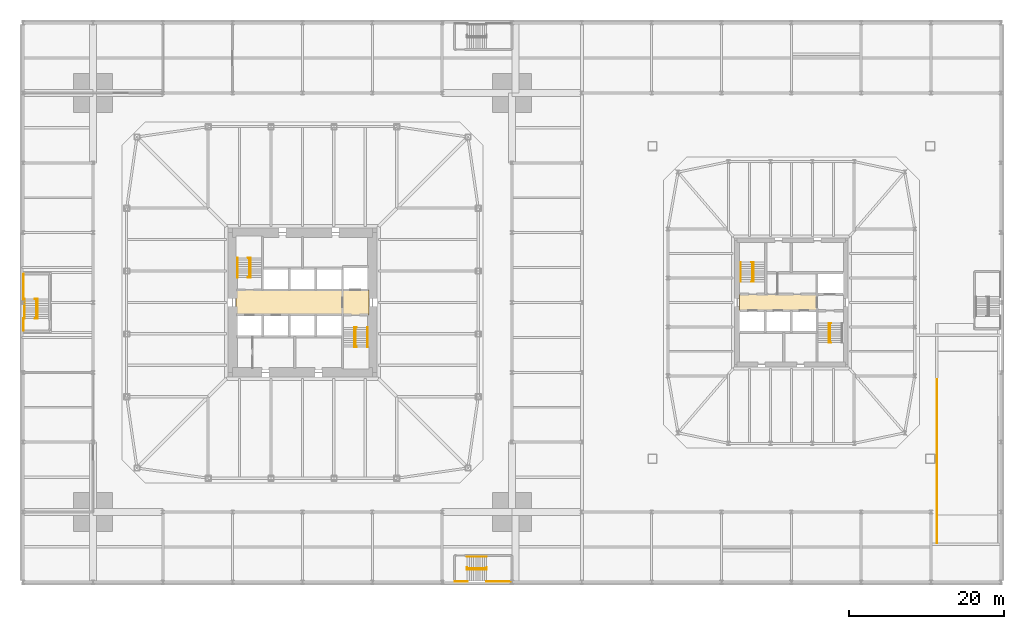
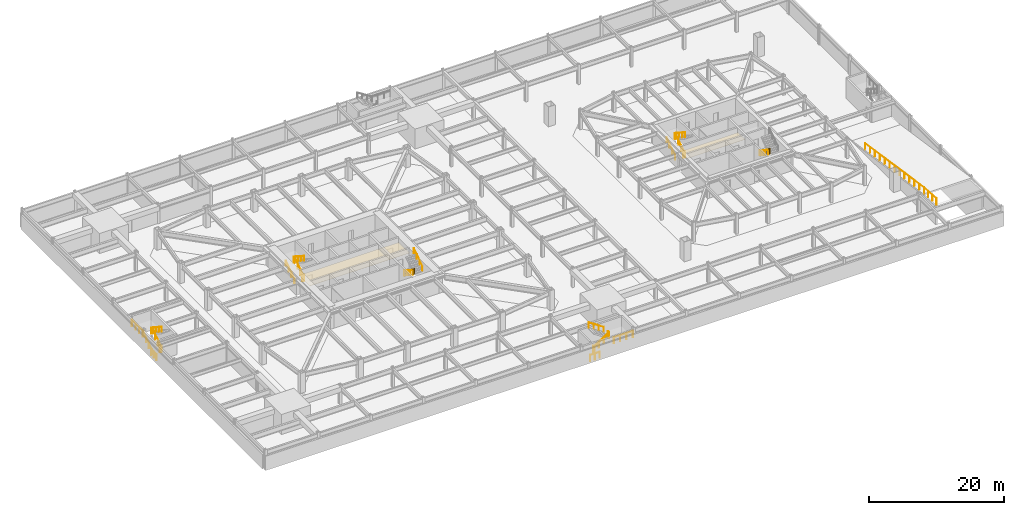
# One storey, part 16 of 17: 22 railings, 3 coverings.
"""IFC4 building model written with IfcOpenShell, lengths in metres."""

from ifc_helpers import new_model, si_unit, direction, frame, origin, origin_2d, place, context, subcontext, project, spatial, polyline, circle, outline, extrude, material, layer, layer_set, constituent, constituent_set, type_object, element, save


model = new_model("IFC4")

# Units and contexts
model_context = context("Model", 3, precision=1e-05, world=origin(), true_north=direction((0.0, 1.0)))
body_context = subcontext(model_context, "Body", "Model", "MODEL_VIEW")
ifc_project = project(units=[si_unit("LENGTHUNIT", "METRE"), si_unit("AREAUNIT", "SQUARE_METRE"), si_unit("VOLUMEUNIT", "CUBIC_METRE"), si_unit("PLANEANGLEUNIT", "RADIAN"), si_unit("MASSUNIT", "GRAM", prefix="KILO")], contexts=[model_context])

# Site, building, storey
site_placement = place(None, origin())
site = spatial("IfcSite", under=ifc_project, at=site_placement, CompositionType="ELEMENT")
building_placement = place(site_placement, origin())
building = spatial("IfcBuilding", under=site, at=building_placement, Name="Iwan Alto Co-Living Towers", CompositionType="ELEMENT")
storey_placement = place(building_placement, frame((0.0, 0.0, -3.60009765625)))
storey = spatial("IfcBuildingStorey", under=building, at=storey_placement, Name="B1", CompositionType="ELEMENT", Elevation=-3.60009765625)

# Coverings
ifc_material_1 = material(Name="Mineral fibre acoustic tiles on steel grid", Category="steel")
ifc_layer = layer(ifc_material_1, 0.02001953125)
ifc_layer_set = layer_set([ifc_layer], Name="ACOUSTIC TILE CEILING 20")
covering_type = type_object("IfcCoveringType", Name="ACOUSTIC TILE CEILING 20", PredefinedType="CEILING", material=ifc_layer_set)
covering_1_placement = place(storey_placement, frame((0.0, 0.0, 2.60009765625)))
element("IfcCovering", 1, at=covering_1_placement, inside=storey, type_object=covering_type, Name="Ceiling Lift lobby B1", PredefinedType="CEILING", context=body_context, shape_type="SweptSolid", body=[
    extrude(outline(polyline([(-8.550048828125, -1.60009765625), (-8.550048828125, 1.60009765625), (5.14990234375, 1.60009765625), (5.14990234375, -1.60009765625), (-8.550048828125, -1.60009765625)])), origin(), (0.0, 0.0, 1.0), 0.02001953125),
])
covering_2_placement = place(storey_placement, frame((0.0, 0.0, 2.60009765625)))
element("IfcCovering", 2, at=covering_2_placement, inside=storey, type_object=covering_type, Name="Ceiling Firefighting lobby B1", PredefinedType="CEILING", context=body_context, shape_type="SweptSolid", body=[
    extrude(outline(polyline([(5.14990234375, -1.60009765625), (5.14990234375, 1.60009765625), (8.550048828125, 1.60009765625), (8.550048828125, -1.60009765625), (5.14990234375, -1.60009765625)])), origin(), (0.0, 0.0, 1.0), 0.02001953125),
])
covering_3_placement = place(storey_placement, frame((0.0, 0.0, 2.60009765625)))
element("IfcCovering", 3, at=covering_3_placement, inside=storey, type_object=covering_type, Name="Ceiling Lift lobby B1", PredefinedType="CEILING", context=body_context, shape_type="SweptSolid", body=[
    extrude(outline(polyline([(56.300048828125, -1.050048828125), (56.300048828125, 1.050048828125), (66.300048828125, 1.050048828125), (66.300048828125, -1.050048828125), (56.300048828125, -1.050048828125)])), origin(), (0.0, 0.0, 1.0), 0.02001953125),
])

# Railings
ifc_material_2 = material(Name="Steel ASTM A500 Gr C", Category="steel")
railing_type_1 = type_object("IfcRailingType", Name="RAMP GUARD 1100", PredefinedType="GUARDRAIL", material=ifc_material_2)
railing_1_placement = place(storey_placement, frame((81.75, -31.0, 3.60009765625)))
element("IfcRailing", 4, at=railing_1_placement, inside=storey, type_object=railing_type_1, Name="Car ramp R1 edge guard", PredefinedType="GUARDRAIL", context=body_context, shape_type="SweptSolid", body=[
    extrude(circle(Radius=0.02392578125, at=origin_2d()), frame((0.0, 0.0, 1.076171875), z_axis=(0.0, 0.998203874049, -0.05990847881), x_axis=(-1.0, 0.0, 0.0)), (0.0, 0.0, 1.0), 3.606689453125),
    extrude(circle(Radius=0.02392578125, at=origin_2d()), frame((0.0, 3.60009765625, 0.85986328125), z_axis=(0.0, 0.988935947918, -0.148343152574), x_axis=(-1.0, 0.0, 0.0)), (0.0, 0.0, 1.0), 17.68896484375),
    extrude(circle(Radius=0.02099609375, at=origin_2d()), origin(), (0.0, 0.0, 1.0), 1.052001953125),
    extrude(circle(Radius=0.02099609375, at=origin_2d()), frame((0.0, 1.199951171875, -0.072021484375)), (0.0, 0.0, 1.0), 1.052001953125),
    extrude(circle(Radius=0.02099609375, at=origin_2d()), frame((0.0, 2.400146484375, -0.14404296875)), (0.0, 0.0, 1.0), 1.052001953125),
    extrude(circle(Radius=0.02099609375, at=origin_2d()), frame((0.0, 3.60009765625, -0.216064453125)), (0.0, 0.0, 1.0), 1.052001953125),
    extrude(circle(Radius=0.02099609375, at=origin_2d()), frame((0.0, 5.057861328125, -0.434814453125)), (0.0, 0.0, 1.0), 1.052001953125),
    extrude(circle(Radius=0.02099609375, at=origin_2d()), frame((0.0, 6.515625, -0.6533203125)), (0.0, 0.0, 1.0), 1.052001953125),
    extrude(circle(Radius=0.02099609375, at=origin_2d()), frame((0.0, 7.973388671875, -0.8720703125)), (0.0, 0.0, 1.0), 1.052001953125),
    extrude(circle(Radius=0.02099609375, at=origin_2d()), frame((0.0, 9.43115234375, -1.0908203125)), (0.0, 0.0, 1.0), 1.052001953125),
    extrude(circle(Radius=0.02099609375, at=origin_2d()), frame((0.0, 10.888916015625, -1.309326171875)), (0.0, 0.0, 1.0), 1.052001953125),
    extrude(circle(Radius=0.02099609375, at=origin_2d()), frame((0.0, 12.3466796875, -1.528076171875)), (0.0, 0.0, 1.0), 1.052001953125),
    extrude(circle(Radius=0.02099609375, at=origin_2d()), frame((0.0, 13.804443359375, -1.746826171875)), (0.0, 0.0, 1.0), 1.052001953125),
    extrude(circle(Radius=0.02099609375, at=origin_2d()), frame((0.0, 15.26220703125, -1.96533203125)), (0.0, 0.0, 1.0), 1.052001953125),
    extrude(circle(Radius=0.02099609375, at=origin_2d()), frame((0.0, 16.719970703125, -2.18408203125)), (0.0, 0.0, 1.0), 1.052001953125),
    extrude(circle(Radius=0.02099609375, at=origin_2d()), frame((0.0, 18.177734375, -2.40283203125)), (0.0, 0.0, 1.0), 1.052001953125),
    extrude(circle(Radius=0.02099609375, at=origin_2d()), frame((0.0, 19.635498046875, -2.621337890625)), (0.0, 0.0, 1.0), 1.052001953125),
    extrude(circle(Radius=0.02099609375, at=origin_2d()), frame((0.0, 21.09326171875, -2.840087890625)), (0.0, 0.0, 1.0), 1.052001953125),
])
ifc_material_3 = material(Name="Steel ASTM A500 Gr C", Category="steel")
ifc_constituent_1 = constituent(ifc_material_3, Name="Rails and posts", Category="Framing")
ifc_material_4 = material(Name="Steel ASTM A36", Category="steel")
ifc_constituent_2 = constituent(ifc_material_4, Name="Bar infill", Category="Infill")
ifc_constituent_set = constituent_set(constituents=[ifc_constituent_1, ifc_constituent_2], Name="STAIR GUARD 1100")
railing_type_2 = type_object("IfcRailingType", Name="STAIR GUARD 1100", PredefinedType="GUARDRAIL", material=ifc_constituent_set)
railing_2_placement = place(storey_placement, frame((-34.300048828125, -2.080078125, 0.0)))
element("IfcRailing", 5, at=railing_2_placement, inside=storey, type_object=railing_type_2, Name="Stair PS1 well guard B1", PredefinedType="GUARDRAIL", context=body_context, shape_type="SweptSolid", body=[
    extrude(circle(Radius=0.02392578125, at=origin_2d()), frame((0.0, 0.0, 1.076171875), z_axis=(0.0, 0.813728144527, 0.581245650998), x_axis=(-1.0, 0.0, 0.0)), (0.0, 0.0, 1.0), 3.096923828125),
    extrude(circle(Radius=0.02392578125, at=origin_2d()), frame((-0.14990234375, 0.0, 1.076171875), z_axis=(1.0, 0.0, 0.0), x_axis=(0.0, 1.0, 0.0)), (0.0, 0.0, 1.0), 0.300048828125),
    extrude(circle(Radius=0.02392578125, at=origin_2d()), frame((-0.14990234375, 2.52001953125, 2.8759765625), z_axis=(1.0, 0.0, 0.0), x_axis=(0.0, 1.0, 0.0)), (0.0, 0.0, 1.0), 0.300048828125),
    extrude(circle(Radius=0.02099609375, at=origin_2d()), origin(), (0.0, 0.0, 1.0), 1.052001953125),
    extrude(circle(Radius=0.02099609375, at=origin_2d()), frame((0.0, 0.840087890625, 0.60009765625)), (0.0, 0.0, 1.0), 1.052001953125),
    extrude(circle(Radius=0.02099609375, at=origin_2d()), frame((0.0, 1.679931640625, 1.199951171875)), (0.0, 0.0, 1.0), 1.052001953125),
    extrude(circle(Radius=0.02099609375, at=origin_2d()), frame((0.0, 2.52001953125, 1.800048828125)), (0.0, 0.0, 1.0), 1.052001953125),
    extrude(circle(Radius=0.02099609375, at=origin_2d()), frame((-0.14990234375, 0.0, 0.0)), (0.0, 0.0, 1.0), 1.052001953125),
    extrude(circle(Radius=0.02099609375, at=origin_2d()), frame((0.150146484375, 0.0, 0.0)), (0.0, 0.0, 1.0), 1.052001953125),
    extrude(circle(Radius=0.02099609375, at=origin_2d()), frame((-0.14990234375, 2.52001953125, 1.800048828125)), (0.0, 0.0, 1.0), 1.052001953125),
    extrude(circle(Radius=0.02099609375, at=origin_2d()), frame((0.150146484375, 2.52001953125, 1.800048828125)), (0.0, 0.0, 1.0), 1.052001953125),
])
railing_3_placement = place(storey_placement, frame((-35.93994140625, -3.64990234375, 0.0)))
element("IfcRailing", 6, at=railing_3_placement, inside=storey, type_object=railing_type_2, Name="Stair PS1 edge guard B1 1", PredefinedType="GUARDRAIL", context=body_context, shape_type="SweptSolid", body=[
    extrude(circle(Radius=0.02392578125, at=origin_2d()), frame((0.0, 0.0, 1.076171875), z_axis=(0.0, 1.0, 0.0), x_axis=(-1.0, 0.0, 0.0)), (0.0, 0.0, 1.0), 1.619873046875),
    extrude(circle(Radius=0.02099609375, at=origin_2d()), origin(), (0.0, 0.0, 1.0), 1.052001953125),
    extrude(circle(Radius=0.02099609375, at=origin_2d()), frame((0.0, 0.81005859375, 0.0)), (0.0, 0.0, 1.0), 1.052001953125),
    extrude(circle(Radius=0.02099609375, at=origin_2d()), frame((0.0, 1.619873046875, 0.0)), (0.0, 0.0, 1.0), 1.052001953125),
])
railing_4_placement = place(storey_placement, frame((-35.93994140625, 0.389892578125, 1.800048828125)))
element("IfcRailing", 7, at=railing_4_placement, inside=storey, type_object=railing_type_2, Name="Stair PS1 edge guard B1 2", PredefinedType="GUARDRAIL", context=body_context, shape_type="SweptSolid", body=[
    extrude(circle(Radius=0.02392578125, at=origin_2d()), frame((0.0, 0.0, 1.076171875), z_axis=(0.0, 1.0, 0.0), x_axis=(-1.0, 0.0, 0.0)), (0.0, 0.0, 1.0), 3.260009765625),
    extrude(circle(Radius=0.02099609375, at=origin_2d()), origin(), (0.0, 0.0, 1.0), 1.052001953125),
    extrude(circle(Radius=0.02099609375, at=origin_2d()), frame((0.0, 1.086669921875, 0.0)), (0.0, 0.0, 1.0), 1.052001953125),
    extrude(circle(Radius=0.02099609375, at=origin_2d()), frame((0.0, 2.17333984375, 0.0)), (0.0, 0.0, 1.0), 1.052001953125),
    extrude(circle(Radius=0.02099609375, at=origin_2d()), frame((0.0, 3.260009765625, 0.0)), (0.0, 0.0, 1.0), 1.052001953125),
])
railing_5_placement = place(storey_placement, frame((21.219970703125, -34.300048828125, 0.0)))
element("IfcRailing", 8, at=railing_5_placement, inside=storey, type_object=railing_type_2, Name="Stair PS4 well guard B1", PredefinedType="GUARDRAIL", context=body_context, shape_type="SweptSolid", body=[
    extrude(circle(Radius=0.02392578125, at=origin_2d()), frame((0.0, 0.0, 1.076171875), z_axis=(0.813728144527, 0.0, 0.581245650998), x_axis=(0.0, 1.0, 0.0)), (0.0, 0.0, 1.0), 3.096923828125),
    extrude(circle(Radius=0.02392578125, at=origin_2d()), frame((0.0, -0.14990234375, 1.076171875), z_axis=(0.0, 1.0, 0.0), x_axis=(-1.0, 0.0, 0.0)), (0.0, 0.0, 1.0), 0.300048828125),
    extrude(circle(Radius=0.02392578125, at=origin_2d()), frame((2.52001953125, -0.14990234375, 2.8759765625), z_axis=(0.0, 1.0, 0.0), x_axis=(-1.0, 0.0, 0.0)), (0.0, 0.0, 1.0), 0.300048828125),
    extrude(circle(Radius=0.02099609375, at=origin_2d()), origin(), (0.0, 0.0, 1.0), 1.052001953125),
    extrude(circle(Radius=0.02099609375, at=origin_2d()), frame((0.840087890625, 0.0, 0.60009765625)), (0.0, 0.0, 1.0), 1.052001953125),
    extrude(circle(Radius=0.02099609375, at=origin_2d()), frame((1.679931640625, 0.0, 1.199951171875)), (0.0, 0.0, 1.0), 1.052001953125),
    extrude(circle(Radius=0.02099609375, at=origin_2d()), frame((2.52001953125, 0.0, 1.800048828125)), (0.0, 0.0, 1.0), 1.052001953125),
    extrude(circle(Radius=0.02099609375, at=origin_2d()), frame((0.0, -0.14990234375, 0.0)), (0.0, 0.0, 1.0), 1.052001953125),
    extrude(circle(Radius=0.02099609375, at=origin_2d()), frame((0.0, 0.150146484375, 0.0)), (0.0, 0.0, 1.0), 1.052001953125),
    extrude(circle(Radius=0.02099609375, at=origin_2d()), frame((2.52001953125, -0.14990234375, 1.800048828125)), (0.0, 0.0, 1.0), 1.052001953125),
    extrude(circle(Radius=0.02099609375, at=origin_2d()), frame((2.52001953125, 0.150146484375, 1.800048828125)), (0.0, 0.0, 1.0), 1.052001953125),
])
railing_6_placement = place(storey_placement, frame((19.64990234375, -35.93994140625, 0.0)))
element("IfcRailing", 9, at=railing_6_placement, inside=storey, type_object=railing_type_2, Name="Stair PS4 edge guard B1 1", PredefinedType="GUARDRAIL", context=body_context, shape_type="SweptSolid", body=[
    extrude(circle(Radius=0.02392578125, at=origin_2d()), frame((0.0, 0.0, 1.076171875), z_axis=(1.0, 0.0, 0.0), x_axis=(0.0, 1.0, 0.0)), (0.0, 0.0, 1.0), 1.6201171875),
    extrude(circle(Radius=0.02099609375, at=origin_2d()), origin(), (0.0, 0.0, 1.0), 1.052001953125),
    extrude(circle(Radius=0.02099609375, at=origin_2d()), frame((0.81005859375, 0.0, 0.0)), (0.0, 0.0, 1.0), 1.052001953125),
    extrude(circle(Radius=0.02099609375, at=origin_2d()), frame((1.6201171875, 0.0, 0.0)), (0.0, 0.0, 1.0), 1.052001953125),
])
railing_7_placement = place(storey_placement, frame((23.68994140625, -35.93994140625, 1.800048828125)))
element("IfcRailing", 10, at=railing_7_placement, inside=storey, type_object=railing_type_2, Name="Stair PS4 edge guard B1 2", PredefinedType="GUARDRAIL", context=body_context, shape_type="SweptSolid", body=[
    extrude(circle(Radius=0.02392578125, at=origin_2d()), frame((0.0, 0.0, 1.076171875), z_axis=(1.0, 0.0, 0.0), x_axis=(0.0, 1.0, 0.0)), (0.0, 0.0, 1.0), 3.260009765625),
    extrude(circle(Radius=0.02099609375, at=origin_2d()), origin(), (0.0, 0.0, 1.0), 1.052001953125),
    extrude(circle(Radius=0.02099609375, at=origin_2d()), frame((1.086669921875, 0.0, 0.0)), (0.0, 0.0, 1.0), 1.052001953125),
    extrude(circle(Radius=0.02099609375, at=origin_2d()), frame((2.17333984375, 0.0, 0.0)), (0.0, 0.0, 1.0), 1.052001953125),
    extrude(circle(Radius=0.02099609375, at=origin_2d()), frame((3.260009765625, 0.0, 0.0)), (0.0, 0.0, 1.0), 1.052001953125),
])
railing_8_placement = place(storey_placement, frame((-6.85009765625, 3.219970703125, 0.0)))
element("IfcRailing", 11, at=railing_8_placement, inside=storey, type_object=railing_type_2, Name="Stair T1-S1 well guard B1", PredefinedType="GUARDRAIL", context=body_context, shape_type="SweptSolid", body=[
    extrude(circle(Radius=0.02392578125, at=origin_2d()), frame((0.0, 0.0, 1.076171875), z_axis=(0.0, 0.813728144527, 0.581245650998), x_axis=(-1.0, 0.0, 0.0)), (0.0, 0.0, 1.0), 3.096923828125),
    extrude(circle(Radius=0.02392578125, at=origin_2d()), frame((-0.14990234375, 0.0, 1.076171875), z_axis=(1.0, 0.0, 0.0), x_axis=(0.0, 1.0, 0.0)), (0.0, 0.0, 1.0), 0.300048828125),
    extrude(circle(Radius=0.02392578125, at=origin_2d()), frame((-0.14990234375, 2.52001953125, 2.8759765625), z_axis=(1.0, 0.0, 0.0), x_axis=(0.0, 1.0, 0.0)), (0.0, 0.0, 1.0), 0.300048828125),
    extrude(circle(Radius=0.02099609375, at=origin_2d()), origin(), (0.0, 0.0, 1.0), 1.052001953125),
    extrude(circle(Radius=0.02099609375, at=origin_2d()), frame((0.0, 0.840087890625, 0.60009765625)), (0.0, 0.0, 1.0), 1.052001953125),
    extrude(circle(Radius=0.02099609375, at=origin_2d()), frame((0.0, 1.679931640625, 1.199951171875)), (0.0, 0.0, 1.0), 1.052001953125),
    extrude(circle(Radius=0.02099609375, at=origin_2d()), frame((0.0, 2.52001953125, 1.800048828125)), (0.0, 0.0, 1.0), 1.052001953125),
    extrude(circle(Radius=0.02099609375, at=origin_2d()), frame((-0.14990234375, 0.0, 0.0)), (0.0, 0.0, 1.0), 1.052001953125),
    extrude(circle(Radius=0.02099609375, at=origin_2d()), frame((0.150146484375, 0.0, 0.0)), (0.0, 0.0, 1.0), 1.052001953125),
    extrude(circle(Radius=0.02099609375, at=origin_2d()), frame((-0.14990234375, 2.52001953125, 1.800048828125)), (0.0, 0.0, 1.0), 1.052001953125),
    extrude(circle(Radius=0.02099609375, at=origin_2d()), frame((0.150146484375, 2.52001953125, 1.800048828125)), (0.0, 0.0, 1.0), 1.052001953125),
])
railing_9_placement = place(storey_placement, frame((6.85009765625, -3.219970703125, 0.0)))
element("IfcRailing", 12, at=railing_9_placement, inside=storey, type_object=railing_type_2, Name="Stair T1-S2 well guard B1", PredefinedType="GUARDRAIL", context=body_context, shape_type="SweptSolid", body=[
    extrude(circle(Radius=0.02392578125, at=origin_2d()), frame((0.0, 0.0, 1.076171875), z_axis=(0.0, -0.813728144527, 0.581245650998), x_axis=(1.0, 0.0, 0.0)), (0.0, 0.0, 1.0), 3.096923828125),
    extrude(circle(Radius=0.02392578125, at=origin_2d()), frame((-0.150146484375, 0.0, 1.076171875), z_axis=(1.0, 0.0, 0.0), x_axis=(0.0, 1.0, 0.0)), (0.0, 0.0, 1.0), 0.300048828125),
    extrude(circle(Radius=0.02392578125, at=origin_2d()), frame((-0.150146484375, -2.52001953125, 2.8759765625), z_axis=(1.0, 0.0, 0.0), x_axis=(0.0, 1.0, 0.0)), (0.0, 0.0, 1.0), 0.300048828125),
    extrude(circle(Radius=0.02099609375, at=origin_2d()), origin(), (0.0, 0.0, 1.0), 1.052001953125),
    extrude(circle(Radius=0.02099609375, at=origin_2d()), frame((0.0, -0.840087890625, 0.60009765625)), (0.0, 0.0, 1.0), 1.052001953125),
    extrude(circle(Radius=0.02099609375, at=origin_2d()), frame((0.0, -1.679931640625, 1.199951171875)), (0.0, 0.0, 1.0), 1.052001953125),
    extrude(circle(Radius=0.02099609375, at=origin_2d()), frame((0.0, -2.52001953125, 1.800048828125)), (0.0, 0.0, 1.0), 1.052001953125),
    extrude(circle(Radius=0.02099609375, at=origin_2d()), frame((-0.150146484375, 0.0, 0.0)), (0.0, 0.0, 1.0), 1.052001953125),
    extrude(circle(Radius=0.02099609375, at=origin_2d()), frame((0.14990234375, 0.0, 0.0)), (0.0, 0.0, 1.0), 1.052001953125),
    extrude(circle(Radius=0.02099609375, at=origin_2d()), frame((-0.150146484375, -2.52001953125, 1.800048828125)), (0.0, 0.0, 1.0), 1.052001953125),
    extrude(circle(Radius=0.02099609375, at=origin_2d()), frame((0.14990234375, -2.52001953125, 1.800048828125)), (0.0, 0.0, 1.0), 1.052001953125),
])
railing_10_placement = place(storey_placement, frame((58.0, 2.669921875, 0.0)))
element("IfcRailing", 13, at=railing_10_placement, inside=storey, type_object=railing_type_2, Name="Stair T2-S1 well guard B1", PredefinedType="GUARDRAIL", context=body_context, shape_type="SweptSolid", body=[
    extrude(circle(Radius=0.02392578125, at=origin_2d()), frame((0.0, 0.0, 1.076171875), z_axis=(0.0, 0.813728144527, 0.581245650998), x_axis=(-1.0, 0.0, 0.0)), (0.0, 0.0, 1.0), 3.096923828125),
    extrude(circle(Radius=0.02392578125, at=origin_2d()), frame((-0.14990234375, 0.0, 1.076171875), z_axis=(1.0, 0.0, 0.0), x_axis=(0.0, 1.0, 0.0)), (0.0, 0.0, 1.0), 0.2998046875),
    extrude(circle(Radius=0.02392578125, at=origin_2d()), frame((-0.14990234375, 2.52001953125, 2.8759765625), z_axis=(1.0, 0.0, 0.0), x_axis=(0.0, 1.0, 0.0)), (0.0, 0.0, 1.0), 0.2998046875),
    extrude(circle(Radius=0.02099609375, at=origin_2d()), origin(), (0.0, 0.0, 1.0), 1.052001953125),
    extrude(circle(Radius=0.02099609375, at=origin_2d()), frame((0.0, 0.840087890625, 0.60009765625)), (0.0, 0.0, 1.0), 1.052001953125),
    extrude(circle(Radius=0.02099609375, at=origin_2d()), frame((0.0, 1.679931640625, 1.199951171875)), (0.0, 0.0, 1.0), 1.052001953125),
    extrude(circle(Radius=0.02099609375, at=origin_2d()), frame((0.0, 2.52001953125, 1.800048828125)), (0.0, 0.0, 1.0), 1.052001953125),
    extrude(circle(Radius=0.02099609375, at=origin_2d()), frame((-0.14990234375, 0.0, 0.0)), (0.0, 0.0, 1.0), 1.052001953125),
    extrude(circle(Radius=0.02099609375, at=origin_2d()), frame((0.14990234375, 0.0, 0.0)), (0.0, 0.0, 1.0), 1.052001953125),
    extrude(circle(Radius=0.02099609375, at=origin_2d()), frame((-0.14990234375, 2.52001953125, 1.800048828125)), (0.0, 0.0, 1.0), 1.052001953125),
    extrude(circle(Radius=0.02099609375, at=origin_2d()), frame((0.14990234375, 2.52001953125, 1.800048828125)), (0.0, 0.0, 1.0), 1.052001953125),
])
railing_11_placement = place(storey_placement, frame((68.0, -2.669921875, 0.0)))
element("IfcRailing", 14, at=railing_11_placement, inside=storey, type_object=railing_type_2, Name="Stair T2-S2 well guard B1", PredefinedType="GUARDRAIL", context=body_context, shape_type="SweptSolid", body=[
    extrude(circle(Radius=0.02392578125, at=origin_2d()), frame((0.0, 0.0, 1.076171875), z_axis=(0.0, -0.813728144527, 0.581245650998), x_axis=(1.0, 0.0, 0.0)), (0.0, 0.0, 1.0), 3.096923828125),
    extrude(circle(Radius=0.02392578125, at=origin_2d()), frame((-0.14990234375, 0.0, 1.076171875), z_axis=(1.0, 0.0, 0.0), x_axis=(0.0, 1.0, 0.0)), (0.0, 0.0, 1.0), 0.2998046875),
    extrude(circle(Radius=0.02392578125, at=origin_2d()), frame((-0.14990234375, -2.52001953125, 2.8759765625), z_axis=(1.0, 0.0, 0.0), x_axis=(0.0, 1.0, 0.0)), (0.0, 0.0, 1.0), 0.2998046875),
    extrude(circle(Radius=0.02099609375, at=origin_2d()), origin(), (0.0, 0.0, 1.0), 1.052001953125),
    extrude(circle(Radius=0.02099609375, at=origin_2d()), frame((0.0, -0.840087890625, 0.60009765625)), (0.0, 0.0, 1.0), 1.052001953125),
    extrude(circle(Radius=0.02099609375, at=origin_2d()), frame((0.0, -1.679931640625, 1.199951171875)), (0.0, 0.0, 1.0), 1.052001953125),
    extrude(circle(Radius=0.02099609375, at=origin_2d()), frame((0.0, -2.52001953125, 1.800048828125)), (0.0, 0.0, 1.0), 1.052001953125),
    extrude(circle(Radius=0.02099609375, at=origin_2d()), frame((-0.14990234375, 0.0, 0.0)), (0.0, 0.0, 1.0), 1.052001953125),
    extrude(circle(Radius=0.02099609375, at=origin_2d()), frame((0.14990234375, 0.0, 0.0)), (0.0, 0.0, 1.0), 1.052001953125),
    extrude(circle(Radius=0.02099609375, at=origin_2d()), frame((-0.14990234375, -2.52001953125, 1.800048828125)), (0.0, 0.0, 1.0), 1.052001953125),
    extrude(circle(Radius=0.02099609375, at=origin_2d()), frame((0.14990234375, -2.52001953125, 1.800048828125)), (0.0, 0.0, 1.0), 1.052001953125),
])
ifc_material_5 = material(Name="Steel ASTM A500 Gr C", Category="steel")
railing_type_3 = type_object("IfcRailingType", Name="STAIR HANDRAIL 900", PredefinedType="HANDRAIL", material=ifc_material_5)
railing_12_placement = place(storey_placement, frame((-35.830078125, -2.080078125, 0.18017578125)))
element("IfcRailing", 15, at=railing_12_placement, inside=storey, type_object=railing_type_3, Name="Stair PS1 handrail 1 B1", PredefinedType="HANDRAIL", context=body_context, shape_type="SweptSolid", body=[
    extrude(circle(Radius=0.02392578125, at=origin_2d()), frame((0.0, 0.0, 0.8759765625), z_axis=(0.0, 0.841199657755, 0.540724639528), x_axis=(-1.0, 0.0, 0.0)), (0.0, 0.0, 1.0), 2.995849609375),
    extrude(circle(Radius=0.02099609375, at=origin_2d()), origin(), (0.0, 0.0, 1.0), 0.851806640625),
    extrude(circle(Radius=0.02099609375, at=origin_2d()), frame((0.0, 0.840087890625, 0.5400390625)), (0.0, 0.0, 1.0), 0.851806640625),
    extrude(circle(Radius=0.02099609375, at=origin_2d()), frame((0.0, 1.679931640625, 1.079833984375)), (0.0, 0.0, 1.0), 0.851806640625),
    extrude(circle(Radius=0.02099609375, at=origin_2d()), frame((0.0, 2.52001953125, 1.619873046875)), (0.0, 0.0, 1.0), 0.851806640625),
])
railing_13_placement = place(storey_placement, frame((-34.14990234375, 0.43994140625, 1.97998046875)))
element("IfcRailing", 16, at=railing_13_placement, inside=storey, type_object=railing_type_3, Name="Stair PS1 handrail 2 B1", PredefinedType="HANDRAIL", context=body_context, shape_type="SweptSolid", body=[
    extrude(circle(Radius=0.02392578125, at=origin_2d()), frame((0.0, 0.0, 0.8759765625), z_axis=(0.0, -0.841162588446, 0.540782303519), x_axis=(1.0, 0.0, 0.0)), (0.0, 0.0, 1.0), 2.995849609375),
    extrude(circle(Radius=0.02099609375, at=origin_2d()), origin(), (0.0, 0.0, 1.0), 0.851806640625),
    extrude(circle(Radius=0.02099609375, at=origin_2d()), frame((0.0, -0.840087890625, 0.5400390625)), (0.0, 0.0, 1.0), 0.851806640625),
    extrude(circle(Radius=0.02099609375, at=origin_2d()), frame((0.0, -1.679931640625, 1.080078125)), (0.0, 0.0, 1.0), 0.851806640625),
    extrude(circle(Radius=0.02099609375, at=origin_2d()), frame((0.0, -2.52001953125, 1.6201171875)), (0.0, 0.0, 1.0), 0.851806640625),
])
railing_14_placement = place(storey_placement, frame((21.219970703125, -34.449951171875, 0.18017578125)))
element("IfcRailing", 17, at=railing_14_placement, inside=storey, type_object=railing_type_3, Name="Stair PS4 handrail 1 B1", PredefinedType="HANDRAIL", context=body_context, shape_type="SweptSolid", body=[
    extrude(circle(Radius=0.02392578125, at=origin_2d()), frame((0.0, 0.0, 0.8759765625), z_axis=(0.841199657755, 0.0, 0.540724639528), x_axis=(0.0, 1.0, 0.0)), (0.0, 0.0, 1.0), 2.995849609375),
    extrude(circle(Radius=0.02099609375, at=origin_2d()), origin(), (0.0, 0.0, 1.0), 0.851806640625),
    extrude(circle(Radius=0.02099609375, at=origin_2d()), frame((0.840087890625, 0.0, 0.5400390625)), (0.0, 0.0, 1.0), 0.851806640625),
    extrude(circle(Radius=0.02099609375, at=origin_2d()), frame((1.679931640625, 0.0, 1.079833984375)), (0.0, 0.0, 1.0), 0.851806640625),
    extrude(circle(Radius=0.02099609375, at=origin_2d()), frame((2.52001953125, 0.0, 1.619873046875)), (0.0, 0.0, 1.0), 0.851806640625),
])
railing_15_placement = place(storey_placement, frame((23.739990234375, -32.77001953125, 1.97998046875)))
element("IfcRailing", 18, at=railing_15_placement, inside=storey, type_object=railing_type_3, Name="Stair PS4 handrail 2 B1", PredefinedType="HANDRAIL", context=body_context, shape_type="SweptSolid", body=[
    extrude(circle(Radius=0.02392578125, at=origin_2d()), frame((0.0, 0.0, 0.8759765625), z_axis=(-0.841162588446, 0.0, 0.540782303519), x_axis=(0.0, -1.0, 0.0)), (0.0, 0.0, 1.0), 2.995849609375),
    extrude(circle(Radius=0.02099609375, at=origin_2d()), origin(), (0.0, 0.0, 1.0), 0.851806640625),
    extrude(circle(Radius=0.02099609375, at=origin_2d()), frame((-0.840087890625, 0.0, 0.5400390625)), (0.0, 0.0, 1.0), 0.851806640625),
    extrude(circle(Radius=0.02099609375, at=origin_2d()), frame((-1.679931640625, 0.0, 1.080078125)), (0.0, 0.0, 1.0), 0.851806640625),
    extrude(circle(Radius=0.02099609375, at=origin_2d()), frame((-2.52001953125, 0.0, 1.6201171875)), (0.0, 0.0, 1.0), 0.851806640625),
])
railing_16_placement = place(storey_placement, frame((-8.3798828125, 3.219970703125, 0.18017578125)))
element("IfcRailing", 19, at=railing_16_placement, inside=storey, type_object=railing_type_3, Name="Stair T1-S1 handrail 1 B1", PredefinedType="HANDRAIL", context=body_context, shape_type="SweptSolid", body=[
    extrude(circle(Radius=0.02392578125, at=origin_2d()), frame((0.0, 0.0, 0.8759765625), z_axis=(0.0, 0.841199657755, 0.540724639528), x_axis=(-1.0, 0.0, 0.0)), (0.0, 0.0, 1.0), 2.995849609375),
    extrude(circle(Radius=0.02099609375, at=origin_2d()), origin(), (0.0, 0.0, 1.0), 0.851806640625),
    extrude(circle(Radius=0.02099609375, at=origin_2d()), frame((0.0, 0.840087890625, 0.5400390625)), (0.0, 0.0, 1.0), 0.851806640625),
    extrude(circle(Radius=0.02099609375, at=origin_2d()), frame((0.0, 1.679931640625, 1.079833984375)), (0.0, 0.0, 1.0), 0.851806640625),
    extrude(circle(Radius=0.02099609375, at=origin_2d()), frame((0.0, 2.52001953125, 1.619873046875)), (0.0, 0.0, 1.0), 0.851806640625),
])
railing_17_placement = place(storey_placement, frame((-6.699951171875, 5.739990234375, 1.97998046875)))
element("IfcRailing", 20, at=railing_17_placement, inside=storey, type_object=railing_type_3, Name="Stair T1-S1 handrail 2 B1", PredefinedType="HANDRAIL", context=body_context, shape_type="SweptSolid", body=[
    extrude(circle(Radius=0.02392578125, at=origin_2d()), frame((0.0, 0.0, 0.8759765625), z_axis=(0.0, -0.841162588446, 0.540782303519), x_axis=(1.0, 0.0, 0.0)), (0.0, 0.0, 1.0), 2.995849609375),
    extrude(circle(Radius=0.02099609375, at=origin_2d()), origin(), (0.0, 0.0, 1.0), 0.851806640625),
    extrude(circle(Radius=0.02099609375, at=origin_2d()), frame((0.0, -0.840087890625, 0.5400390625)), (0.0, 0.0, 1.0), 0.851806640625),
    extrude(circle(Radius=0.02099609375, at=origin_2d()), frame((0.0, -1.679931640625, 1.080078125)), (0.0, 0.0, 1.0), 0.851806640625),
    extrude(circle(Radius=0.02099609375, at=origin_2d()), frame((0.0, -2.52001953125, 1.6201171875)), (0.0, 0.0, 1.0), 0.851806640625),
])
railing_18_placement = place(storey_placement, frame((6.699951171875, -3.219970703125, 0.18017578125)))
element("IfcRailing", 21, at=railing_18_placement, inside=storey, type_object=railing_type_3, Name="Stair T1-S2 handrail 1 B1", PredefinedType="HANDRAIL", context=body_context, shape_type="SweptSolid", body=[
    extrude(circle(Radius=0.02392578125, at=origin_2d()), frame((0.0, 0.0, 0.8759765625), z_axis=(0.0, -0.841199657755, 0.540724639528), x_axis=(1.0, 0.0, 0.0)), (0.0, 0.0, 1.0), 2.995849609375),
    extrude(circle(Radius=0.02099609375, at=origin_2d()), origin(), (0.0, 0.0, 1.0), 0.851806640625),
    extrude(circle(Radius=0.02099609375, at=origin_2d()), frame((0.0, -0.840087890625, 0.5400390625)), (0.0, 0.0, 1.0), 0.851806640625),
    extrude(circle(Radius=0.02099609375, at=origin_2d()), frame((0.0, -1.679931640625, 1.079833984375)), (0.0, 0.0, 1.0), 0.851806640625),
    extrude(circle(Radius=0.02099609375, at=origin_2d()), frame((0.0, -2.52001953125, 1.619873046875)), (0.0, 0.0, 1.0), 0.851806640625),
])
railing_19_placement = place(storey_placement, frame((8.3798828125, -5.739990234375, 1.97998046875)))
element("IfcRailing", 22, at=railing_19_placement, inside=storey, type_object=railing_type_3, Name="Stair T1-S2 handrail 2 B1", PredefinedType="HANDRAIL", context=body_context, shape_type="SweptSolid", body=[
    extrude(circle(Radius=0.02392578125, at=origin_2d()), frame((0.0, 0.0, 0.8759765625), z_axis=(0.0, 0.841162588446, 0.540782303519), x_axis=(-1.0, 0.0, 0.0)), (0.0, 0.0, 1.0), 2.995849609375),
    extrude(circle(Radius=0.02099609375, at=origin_2d()), origin(), (0.0, 0.0, 1.0), 0.851806640625),
    extrude(circle(Radius=0.02099609375, at=origin_2d()), frame((0.0, 0.840087890625, 0.5400390625)), (0.0, 0.0, 1.0), 0.851806640625),
    extrude(circle(Radius=0.02099609375, at=origin_2d()), frame((0.0, 1.679931640625, 1.080078125)), (0.0, 0.0, 1.0), 0.851806640625),
    extrude(circle(Radius=0.02099609375, at=origin_2d()), frame((0.0, 2.52001953125, 1.6201171875)), (0.0, 0.0, 1.0), 0.851806640625),
])
railing_20_placement = place(storey_placement, frame((56.469970703125, 2.669921875, 0.18017578125)))
element("IfcRailing", 23, at=railing_20_placement, inside=storey, type_object=railing_type_3, Name="Stair T2-S1 handrail 1 B1", PredefinedType="HANDRAIL", context=body_context, shape_type="SweptSolid", body=[
    extrude(circle(Radius=0.02392578125, at=origin_2d()), frame((0.0, 0.0, 0.8759765625), z_axis=(0.0, 0.841199657755, 0.540724639528), x_axis=(-1.0, 0.0, 0.0)), (0.0, 0.0, 1.0), 2.995849609375),
    extrude(circle(Radius=0.02099609375, at=origin_2d()), origin(), (0.0, 0.0, 1.0), 0.851806640625),
    extrude(circle(Radius=0.02099609375, at=origin_2d()), frame((0.0, 0.840087890625, 0.5400390625)), (0.0, 0.0, 1.0), 0.851806640625),
    extrude(circle(Radius=0.02099609375, at=origin_2d()), frame((0.0, 1.679931640625, 1.079833984375)), (0.0, 0.0, 1.0), 0.851806640625),
    extrude(circle(Radius=0.02099609375, at=origin_2d()), frame((0.0, 2.52001953125, 1.619873046875)), (0.0, 0.0, 1.0), 0.851806640625),
])
railing_21_placement = place(storey_placement, frame((58.14990234375, 5.18994140625, 1.97998046875)))
element("IfcRailing", 24, at=railing_21_placement, inside=storey, type_object=railing_type_3, Name="Stair T2-S1 handrail 2 B1", PredefinedType="HANDRAIL", context=body_context, shape_type="SweptSolid", body=[
    extrude(circle(Radius=0.02392578125, at=origin_2d()), frame((0.0, 0.0, 0.8759765625), z_axis=(0.0, -0.841162588446, 0.540782303519), x_axis=(1.0, 0.0, 0.0)), (0.0, 0.0, 1.0), 2.995849609375),
    extrude(circle(Radius=0.02099609375, at=origin_2d()), origin(), (0.0, 0.0, 1.0), 0.851806640625),
    extrude(circle(Radius=0.02099609375, at=origin_2d()), frame((0.0, -0.840087890625, 0.5400390625)), (0.0, 0.0, 1.0), 0.851806640625),
    extrude(circle(Radius=0.02099609375, at=origin_2d()), frame((0.0, -1.679931640625, 1.080078125)), (0.0, 0.0, 1.0), 0.851806640625),
    extrude(circle(Radius=0.02099609375, at=origin_2d()), frame((0.0, -2.52001953125, 1.6201171875)), (0.0, 0.0, 1.0), 0.851806640625),
])
railing_22_placement = place(storey_placement, frame((67.85009765625, -2.669921875, 0.18017578125)))
element("IfcRailing", 25, at=railing_22_placement, inside=storey, type_object=railing_type_3, Name="Stair T2-S2 handrail 1 B1", PredefinedType="HANDRAIL", context=body_context, shape_type="SweptSolid", body=[
    extrude(circle(Radius=0.02392578125, at=origin_2d()), frame((0.0, 0.0, 0.8759765625), z_axis=(0.0, -0.841199657755, 0.540724639528), x_axis=(1.0, 0.0, 0.0)), (0.0, 0.0, 1.0), 2.995849609375),
    extrude(circle(Radius=0.02099609375, at=origin_2d()), origin(), (0.0, 0.0, 1.0), 0.851806640625),
    extrude(circle(Radius=0.02099609375, at=origin_2d()), frame((0.0, -0.840087890625, 0.5400390625)), (0.0, 0.0, 1.0), 0.851806640625),
    extrude(circle(Radius=0.02099609375, at=origin_2d()), frame((0.0, -1.679931640625, 1.079833984375)), (0.0, 0.0, 1.0), 0.851806640625),
    extrude(circle(Radius=0.02099609375, at=origin_2d()), frame((0.0, -2.52001953125, 1.619873046875)), (0.0, 0.0, 1.0), 0.851806640625),
])

save(model, "model.ifc")
